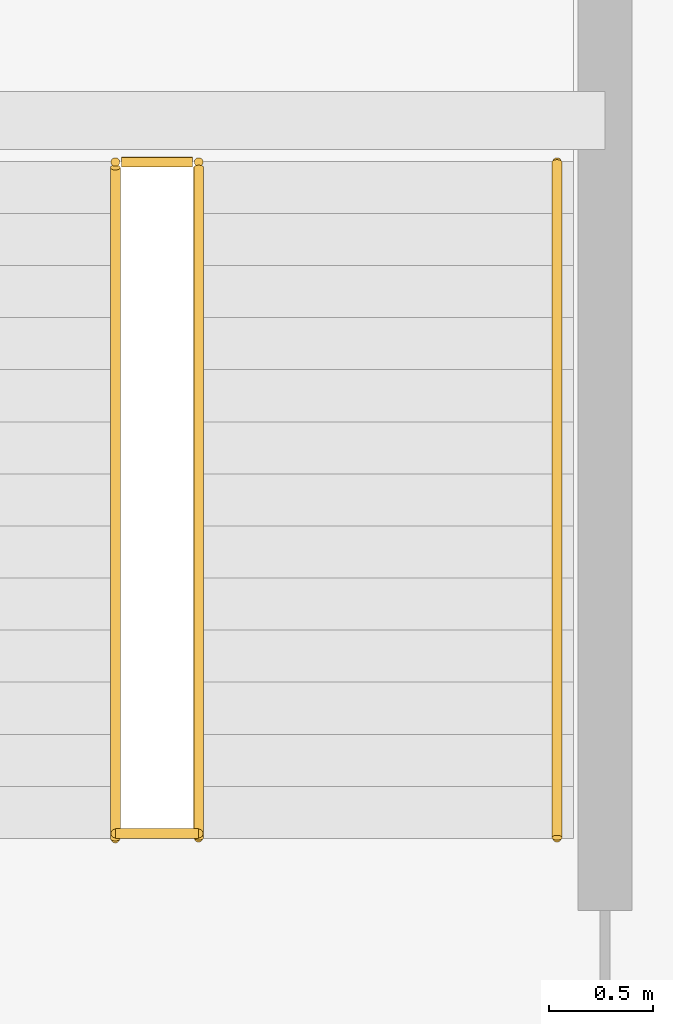
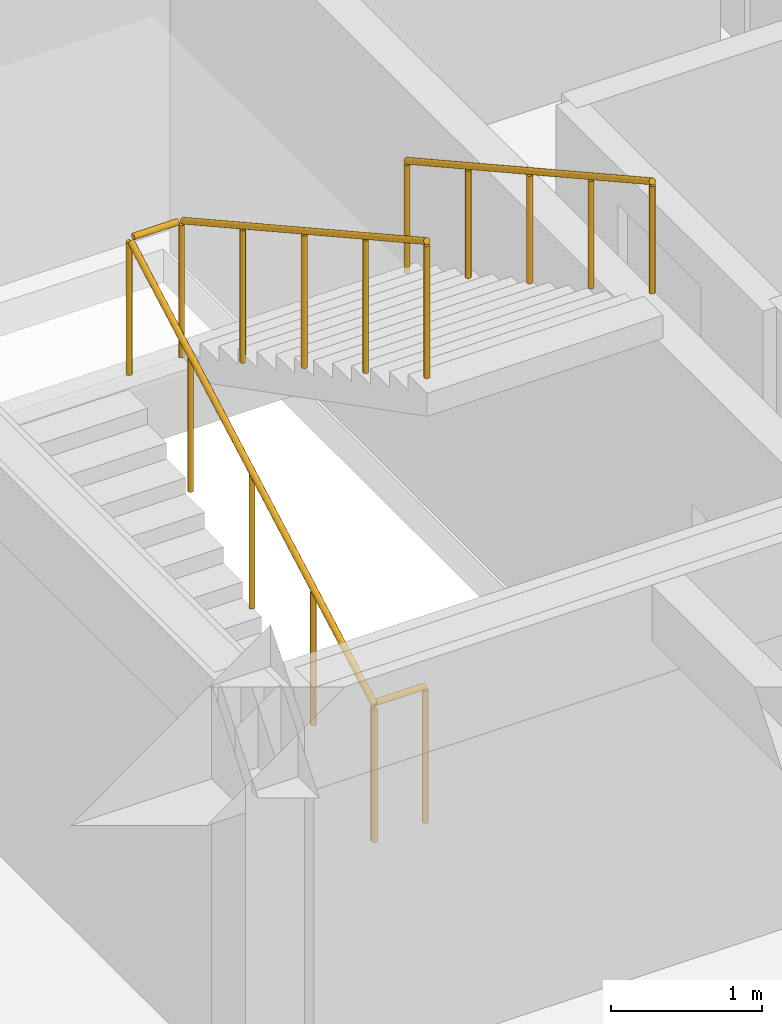
# One storey, part 80 of 80: 3 railings.
"""IFC4 building model written with IfcOpenShell, lengths in metres."""

from ifc_helpers import new_model, si_unit, direction, frame, origin, origin_2d, place, context, subcontext, project, spatial, circle, extrude, material, type_object, element, save


model = new_model("IFC4")

# Units and contexts
model_context = context("Model", 3, precision=1e-05, world=origin(), true_north=direction((0.0, 1.0)))
body_context = subcontext(model_context, "Body", "Model", "MODEL_VIEW")
ifc_project = project(units=[si_unit("LENGTHUNIT", "METRE"), si_unit("AREAUNIT", "SQUARE_METRE"), si_unit("VOLUMEUNIT", "CUBIC_METRE"), si_unit("PLANEANGLEUNIT", "RADIAN"), si_unit("MASSUNIT", "GRAM", prefix="KILO")], contexts=[model_context])

# Site, building, storey
site_placement = place(None, origin())
site = spatial("IfcSite", under=ifc_project, at=site_placement, CompositionType="ELEMENT")
building_placement = place(site_placement, origin())
building = spatial("IfcBuilding", under=site, at=building_placement, Name="Ornek Quay Market", CompositionType="ELEMENT")
storey_placement = place(building_placement, frame((0.0, 0.0, 8.39990234375)))
storey = spatial("IfcBuildingStorey", under=building, at=storey_placement, Name="L02", CompositionType="ELEMENT", Elevation=8.39990234375)

# Railings
ifc_material = material(Name="Brushed stainless steel 316", Category="steel")
railing_type_1 = type_object("IfcRailingType", Name="RL-GUARD-STAIR-1100", PredefinedType="GUARDRAIL", material=ifc_material)
railing_1_placement = place(storey_placement, frame((173.10009765625, 94.1201171875, 0.0)))
element("IfcRailing", 1, at=railing_1_placement, inside=storey, type_object=railing_type_1, Name="Railing GR-03-044", PredefinedType="GUARDRAIL", context=body_context, shape_type="SweptSolid", body=[
    extrude(circle(Radius=0.02392578125, at=origin_2d()), frame((0.0, 0.0, 1.09619140625), z_axis=(1.0, 0.0, 0.0), x_axis=(0.0, 1.0, 0.0)), (0.0, 0.0, 1.0), 0.39990234375),
    extrude(circle(Radius=0.02099609375, at=origin_2d()), origin(), (0.0, 0.0, 1.0), 1.068115234375),
    extrude(circle(Radius=0.02099609375, at=origin_2d()), frame((0.39990234375, 0.0, 0.0)), (0.0, 0.0, 1.0), 1.068115234375),
])
railing_2_placement = place(storey_placement, frame((173.10009765625, 94.095947265625, 0.0)))
element("IfcRailing", 2, at=railing_2_placement, inside=storey, type_object=railing_type_1, Name="Railing GR-03-045", PredefinedType="GUARDRAIL", context=body_context, shape_type="SweptSolid", body=[
    extrude(circle(Radius=0.02392578125, at=origin_2d()), frame((0.0, 0.0, 1.09619140625), z_axis=(0.0, 0.874538622819, 0.484955871393), x_axis=(-1.0, 0.0, 0.0)), (0.0, 0.0, 1.0), 3.681884765625),
    extrude(circle(Radius=0.02392578125, at=origin_2d()), frame((0.030029296875, 3.24609375, 2.89599609375), z_axis=(1.0, 0.0, 0.0), x_axis=(0.0, 1.0, 0.0)), (0.0, 0.0, 1.0), 0.33984375),
    extrude(circle(Radius=0.02392578125, at=origin_2d()), frame((0.39990234375, 3.219970703125, 2.91064453125), z_axis=(0.0, -0.874275263503, 0.485430493095), x_axis=(1.0, 0.0, 0.0)), (0.0, 0.0, 1.0), 3.67822265625),
    extrude(circle(Radius=0.02099609375, at=origin_2d()), origin(), (0.0, 0.0, 1.0), 1.068115234375),
    extrude(circle(Radius=0.02099609375, at=origin_2d()), frame((0.0, 0.8115234375, 0.449951171875)), (0.0, 0.0, 1.0), 1.068115234375),
    extrude(circle(Radius=0.02099609375, at=origin_2d()), frame((0.0, 1.623046875, 0.89990234375)), (0.0, 0.0, 1.0), 1.068115234375),
    extrude(circle(Radius=0.02099609375, at=origin_2d()), frame((0.0, 2.4345703125, 1.35009765625)), (0.0, 0.0, 1.0), 1.068115234375),
    extrude(circle(Radius=0.02099609375, at=origin_2d()), frame((0.0, 3.24609375, 1.800048828125)), (0.0, 0.0, 1.0), 1.068115234375),
    extrude(circle(Radius=0.02099609375, at=origin_2d()), frame((0.39990234375, 3.24609375, 1.800048828125)), (0.0, 0.0, 1.0), 1.068115234375),
    extrude(circle(Radius=0.02099609375, at=origin_2d()), frame((0.39990234375, 2.435546875, 2.25)), (0.0, 0.0, 1.0), 1.068115234375),
    extrude(circle(Radius=0.02099609375, at=origin_2d()), frame((0.39990234375, 1.625, 2.7001953125)), (0.0, 0.0, 1.0), 1.068115234375),
    extrude(circle(Radius=0.02099609375, at=origin_2d()), frame((0.39990234375, 0.814697265625, 3.150146484375)), (0.0, 0.0, 1.0), 1.068115234375),
    extrude(circle(Radius=0.02099609375, at=origin_2d()), frame((0.39990234375, 0.004150390625, 3.60009765625)), (0.0, 0.0, 1.0), 1.068115234375),
])
railing_type_2 = type_object("IfcRailingType", Name="RL-HANDRAIL-920", PredefinedType="HANDRAIL", material=ifc_material)
railing_3_placement = place(storey_placement, frame((175.219970703125, 97.342041015625, 1.880126953125)))
element("IfcRailing", 3, at=railing_3_placement, inside=storey, type_object=railing_type_2, Name="Railing HR-01-047", PredefinedType="HANDRAIL", context=body_context, shape_type="SweptSolid", body=[
    extrude(circle(Radius=0.02392578125, at=origin_2d()), frame((0.0, 0.0, 0.89599609375), z_axis=(0.0, -0.874275263503, 0.485430493095), x_axis=(1.0, 0.0, 0.0)), (0.0, 0.0, 1.0), 3.708251953125),
    extrude(circle(Radius=0.02099609375, at=origin_2d()), origin(), (0.0, 0.0, 1.0), 0.867919921875),
    extrude(circle(Radius=0.02099609375, at=origin_2d()), frame((0.0, -0.810546875, 0.449951171875)), (0.0, 0.0, 1.0), 0.867919921875),
    extrude(circle(Radius=0.02099609375, at=origin_2d()), frame((0.0, -1.62109375, 0.89990234375)), (0.0, 0.0, 1.0), 0.867919921875),
    extrude(circle(Radius=0.02099609375, at=origin_2d()), frame((0.0, -2.431396484375, 1.35009765625)), (0.0, 0.0, 1.0), 0.867919921875),
    extrude(circle(Radius=0.02099609375, at=origin_2d()), frame((0.0, -3.241943359375, 1.800048828125)), (0.0, 0.0, 1.0), 0.867919921875),
])

save(model, "model.ifc")
